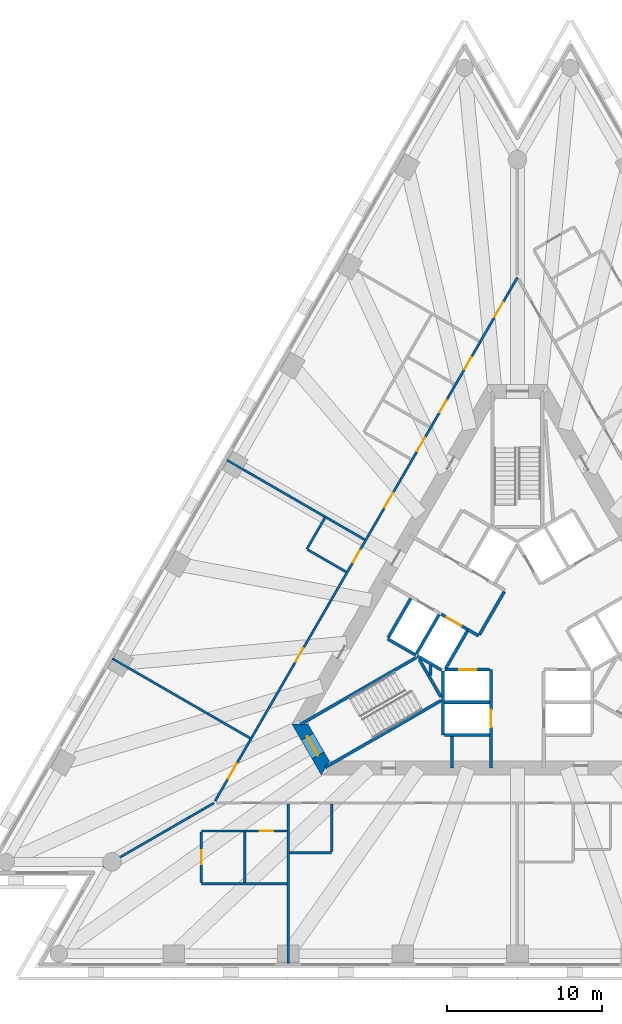
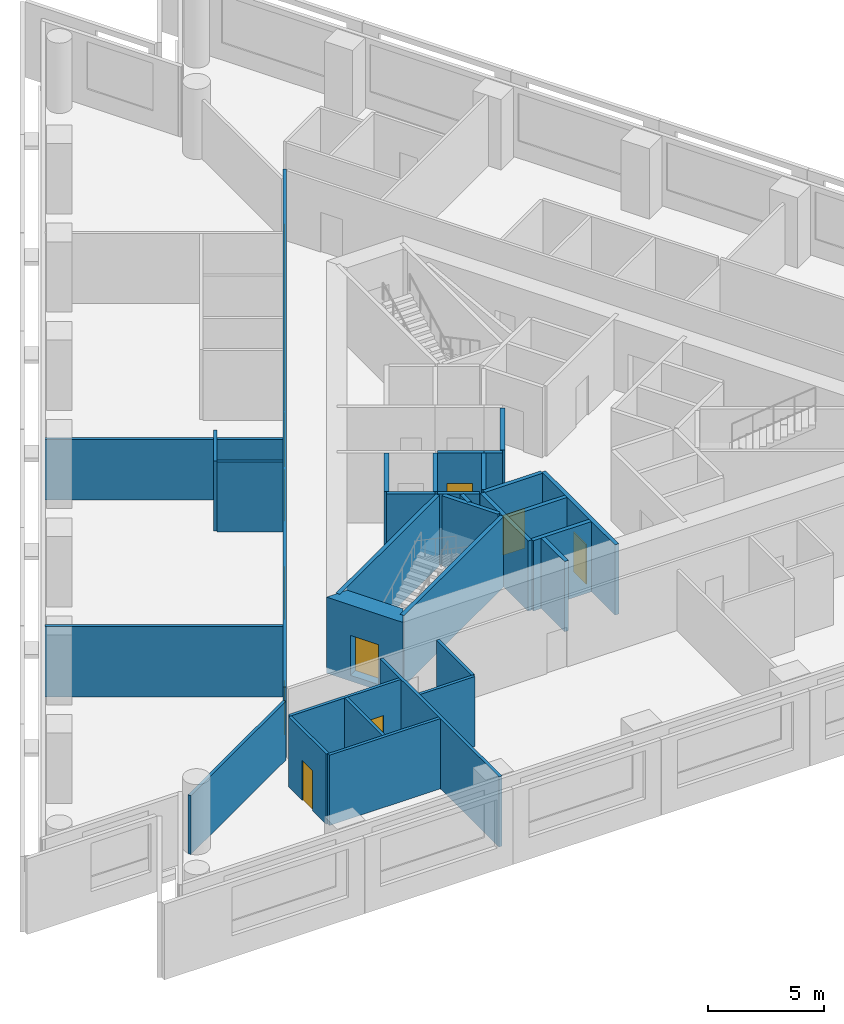
# One storey, part 3 of 11: 32 walls, 14 doors, 14 openings.
"""IFC4 building model written with IfcOpenShell, lengths in metres."""

from ifc_helpers import new_model, si_unit, direction, frame, frame_2d, origin, place, context, subcontext, project, spatial, polyline, rectangle, outline, extrude, material, layer, layer_set, type_object, element, fill, save


model = new_model("IFC4")

# Units and contexts
model_context = context("Model", 3, precision=1e-05, world=origin(), true_north=direction((0.0, 1.0)))
body_context = subcontext(model_context, "Body", "Model", "MODEL_VIEW")
ifc_project = project(units=[si_unit("LENGTHUNIT", "METRE"), si_unit("AREAUNIT", "SQUARE_METRE"), si_unit("VOLUMEUNIT", "CUBIC_METRE"), si_unit("PLANEANGLEUNIT", "RADIAN"), si_unit("MASSUNIT", "GRAM", prefix="KILO")], contexts=[model_context])

# Site, building, storey
site_placement = place(None, origin())
site = spatial("IfcSite", under=ifc_project, at=site_placement, CompositionType="ELEMENT")
building_placement = place(site_placement, origin())
building = spatial("IfcBuilding", under=site, at=building_placement, Name="Triada Interchange Tower", CompositionType="ELEMENT")
storey_placement = place(building_placement, frame((0.0, 0.0, 67.300048828125)))
storey = spatial("IfcBuildingStorey", under=building, at=storey_placement, Name="L14", CompositionType="ELEMENT", Elevation=67.300048828125)

# Walls
ifc_material_1 = material(Name="Concrete C30/37", Category="concrete")
ifc_layer_1 = layer(ifc_material_1, 0.199951171875)
ifc_layer_set_1 = layer_set([ifc_layer_1], Name="CORE WALL 200 EI 120")
wall_type_1 = type_object("IfcWallType", Name="CORE WALL 200 EI 120", PredefinedType="SOLIDWALL", material=ifc_layer_set_1)
wall_1_placement = place(storey_placement, frame((-8.3759765625, -0.70703125, 0.0), z_axis=(0.0, 0.0, 1.0), x_axis=(0.866067520717, -0.499927044236, 0.0)))
element("IfcWall", 1, at=wall_1_placement, inside=storey, type_object=wall_type_1, Name="Wall L12 47", PredefinedType="SOLIDWALL", context=body_context, shape_type="SweptSolid", body=[
    extrude(rectangle(XDim=2.100341796875, YDim=0.199951171875, at=frame_2d((1.05029296875, 0.0))), origin(), (0.0, 0.0, 1.0), 3.699951171875),
])
wall_2_placement = place(storey_placement, frame((-8.325927734375, -0.6201171875, 0.0), z_axis=(0.0, 0.0, 1.0), x_axis=(0.500023687443, 0.866011727401, 0.0)))
element("IfcWall", 2, at=wall_2_placement, inside=storey, type_object=wall_type_1, Name="Wall L12 48", PredefinedType="SOLIDWALL", context=body_context, shape_type="SweptSolid", body=[
    extrude(rectangle(XDim=2.899658203125, YDim=0.199951171875, at=frame_2d((1.44970703125, 0.0))), origin(), (0.0, 0.0, 1.0), 3.699951171875),
])
wall_3_placement = place(storey_placement, frame((-4.699951171875, -4.800048828125, 0.0), z_axis=(0.0, 0.0, 1.0), x_axis=(1.0, 0.0, 0.0)))
element("IfcWall", 3, at=wall_3_placement, inside=storey, type_object=wall_type_1, Name="Wall L12 49", PredefinedType="SOLIDWALL", context=body_context, shape_type="SweptSolid", body=[
    extrude(rectangle(XDim=2.89990234375, YDim=0.199951171875, at=frame_2d((1.449951171875, 0.0))), origin(), (0.0, 0.0, 1.0), 3.699951171875),
])
wall_4_placement = place(storey_placement, frame((-4.800048828125, -6.89990234375, 0.0), z_axis=(0.0, 0.0, 1.0), x_axis=(0.0, 1.0, 0.0)))
element("IfcWall", 4, at=wall_4_placement, inside=storey, type_object=wall_type_1, Name="Wall L12 51", PredefinedType="SOLIDWALL", context=body_context, shape_type="SweptSolid", body=[
    extrude(rectangle(XDim=4.130859375, YDim=0.199951171875, at=frame_2d((2.0654296875, 0.0))), origin(), (0.0, 0.0, 1.0), 3.699951171875),
])
wall_5_placement = place(storey_placement, frame((-4.699951171875, -6.89990234375, 0.0), z_axis=(0.0, 0.0, 1.0), x_axis=(1.0, 0.0, 0.0)))
element("IfcWall", 5, at=wall_5_placement, inside=storey, type_object=wall_type_1, Name="Wall L12 52", PredefinedType="SOLIDWALL", context=body_context, shape_type="SweptSolid", body=[
    extrude(rectangle(XDim=2.89990234375, YDim=0.199951171875, at=frame_2d((1.449951171875, 0.0))), origin(), (0.0, 0.0, 1.0), 3.699951171875),
])

# Wall, opening, door
wall_6_placement = place(storey_placement, frame((-1.699951171875, -9.030029296875, 0.0), z_axis=(0.0, 0.0, 1.0), x_axis=(0.0, 1.0, 0.0)))
wall_6 = element("IfcWall", 6, at=wall_6_placement, inside=storey, type_object=wall_type_1, Name="Wall L12 54", PredefinedType="SOLIDWALL", context=body_context, shape_type="SweptSolid", body=[
    extrude(rectangle(XDim=6.3271484375, YDim=0.199951171875, at=frame_2d((3.16357421875, 0.0))), origin(), (0.0, 0.0, 1.0), 3.699951171875),
])
opening_1_placement = place(wall_6_placement, frame((2.6298828125, 0.0, 0.0)))
opening_1 = element("IfcOpeningElement", 7, at=opening_1_placement, cuts=wall_6, Name="Opening LD-LR4", PredefinedType="OPENING", context=body_context, shape_type="SweptSolid", body=[
    extrude(rectangle(XDim=1.10009765625, YDim=2.10009765625, at=frame_2d((0.550048828125, 1.050048828125))), frame((0.0, 0.10986328125, 0.0), z_axis=(0.0, -1.0, 0.0), x_axis=(1.0, 0.0, 0.0)), (0.0, 0.0, 1.0), 0.219970703125),
])
ifc_material_2 = material(Name="Steel S235 door leaf", Category="steel")
door_type_1 = type_object("IfcDoorType", Name="LIFT LANDING DOOR 1100 EI 120", OperationType="SLIDING_TO_LEFT", PredefinedType="DOOR", material=ifc_material_2)
door_1_placement = place(opening_1_placement, origin())
door_1 = element("IfcDoor", 8, at=door_1_placement, inside=storey, type_object=door_type_1, Name="LR4 landing door L14", OperationType="SLIDING_TO_LEFT", OverallHeight=2.10009765625, OverallWidth=1.10009765625, PredefinedType="DOOR", context=body_context, shape_type="SweptSolid", body=[
    extrude(rectangle(XDim=1.10009765625, YDim=2.10009765625, at=frame_2d((0.550048828125, 1.050048828125))), frame((0.0, 0.02490234375, 0.0), z_axis=(0.0, -1.0, 0.0), x_axis=(1.0, 0.0, 0.0)), (0.0, 0.0, 1.0), 0.050048828125),
])
fill(opening_1, door_1)

wall_7_placement = place(storey_placement, frame((-4.676025390625, -2.699951171875, 0.0), z_axis=(0.0, 0.0, 1.0), x_axis=(1.0, 0.0, 0.0)))
wall_7 = element("IfcWall", 9, at=wall_7_placement, inside=storey, type_object=wall_type_1, Name="Wall L12 55", PredefinedType="SOLIDWALL", context=body_context, shape_type="SweptSolid", body=[
    extrude(rectangle(XDim=2.873046875, YDim=0.199951171875, at=frame_2d((1.4365234375, 0.0))), origin(), (0.0, 0.0, 1.0), 3.699951171875),
])
opening_2_placement = place(wall_7_placement, frame((0.93701171875, 0.0, 0.0)))
opening_2 = element("IfcOpeningElement", 10, at=opening_2_placement, cuts=wall_7, Name="Opening LD-LR3", PredefinedType="OPENING", context=body_context, shape_type="SweptSolid", body=[
    extrude(rectangle(XDim=1.10009765625, YDim=2.10009765625, at=frame_2d((0.550048828125, 1.050048828125))), frame((0.0, 0.10986328125, 0.0), z_axis=(0.0, -1.0, 0.0), x_axis=(1.0, 0.0, 0.0)), (0.0, 0.0, 1.0), 0.219970703125),
])
door_2_placement = place(opening_2_placement, origin())
door_2 = element("IfcDoor", 11, at=door_2_placement, inside=storey, type_object=door_type_1, Name="LR3 landing door L14", OperationType="SLIDING_TO_LEFT", OverallHeight=2.10009765625, OverallWidth=1.10009765625, PredefinedType="DOOR", context=body_context, shape_type="SweptSolid", body=[
    extrude(rectangle(XDim=1.10009765625, YDim=2.10009765625, at=frame_2d((0.550048828125, 1.050048828125))), frame((0.0, 0.02490234375, 0.0), z_axis=(0.0, -1.0, 0.0), x_axis=(1.0, 0.0, 0.0)), (0.0, 0.0, 1.0), 0.050048828125),
])
fill(opening_2, door_2)

# Walls
ifc_layer_2 = layer(ifc_material_1, 0.199951171875)
ifc_layer_set_2 = layer_set([ifc_layer_2], Name="CORE WALL 200 EI 180")
wall_type_2 = type_object("IfcWallType", Name="CORE WALL 200 EI 180", PredefinedType="SOLIDWALL", material=ifc_layer_set_2)
wall_8_placement = place(storey_placement, frame((-3.18798828125, -0.1220703125, 0.0), z_axis=(0.0, 0.0, 1.0), x_axis=(0.865705793592, -0.50055317294, 0.0)))
element("IfcWall", 12, at=wall_8_placement, inside=storey, type_object=wall_type_2, Name="Wall L12 70", PredefinedType="SOLIDWALL", context=body_context, shape_type="SweptSolid", body=[
    extrude(rectangle(XDim=0.796875, YDim=0.199951171875, at=frame_2d((0.3984375, 0.0))), origin(), (0.0, 0.0, 1.0), 3.699951171875),
])
wall_9_placement = place(storey_placement, frame((-2.444091796875, -0.43310546875, 0.0), z_axis=(0.0, 0.0, 1.0), x_axis=(0.500035624827, 0.866004834804, 0.0)))
element("IfcWall", 13, at=wall_9_placement, inside=storey, type_object=wall_type_2, Name="Wall L12 75", PredefinedType="SOLIDWALL", context=body_context, shape_type="SweptSolid", body=[
    extrude(rectangle(XDim=3.194091796875, YDim=0.199951171875, at=frame_2d((1.59716796875, 0.0))), origin(), (0.0, 0.0, 1.0), 3.699951171875),
])
wall_10_placement = place(storey_placement, frame((-6.507080078125, -1.669921875, 0.0), z_axis=(0.0, 0.0, 1.0), x_axis=(0.50012328804, 0.865954211699, 0.0)))
element("IfcWall", 14, at=wall_10_placement, inside=storey, type_object=wall_type_2, Name="Shaft wall FF1 L12 76", PredefinedType="SOLIDWALL", context=body_context, shape_type="SweptSolid", body=[
    extrude(rectangle(XDim=2.899658203125, YDim=0.199951171875, at=frame_2d((1.44970703125, 0.0))), origin(), (0.0, 0.0, 1.0), 3.699951171875),
])
wall_11_placement = place(storey_placement, frame((-6.469970703125, -1.806884765625, 0.0), z_axis=(0.0, 0.0, 1.0), x_axis=(0.865883195159, -0.500246231712, 0.0)))
element("IfcWall", 15, at=wall_11_placement, inside=storey, type_object=wall_type_2, Name="Shaft wall FF1 L12 77", PredefinedType="SOLIDWALL", context=body_context, shape_type="SweptSolid", body=[
    extrude(rectangle(XDim=1.8154296875, YDim=0.199951171875, at=frame_2d((0.90771484375, 0.0))), origin(), (0.0, 0.0, 1.0), 3.699951171875),
])

# Wall, opening, door
wall_12_placement = place(storey_placement, frame((-4.922119140625, 0.87890625, 0.0), z_axis=(0.0, 0.0, 1.0), x_axis=(0.866073918653, -0.499915960366, 0.0)))
wall_12 = element("IfcWall", 16, at=wall_12_placement, inside=storey, type_object=wall_type_2, Name="Shaft wall FF1 L12 78", PredefinedType="SOLIDWALL", context=body_context, shape_type="SweptSolid", body=[
    extrude(rectangle(XDim=2.002197265625, YDim=0.199951171875, at=frame_2d((1.0009765625, 0.0))), origin(), (0.0, 0.0, 1.0), 3.699951171875),
])
opening_3_placement = place(wall_12_placement, frame((0.402099609375, 0.0, 0.0)))
opening_3 = element("IfcOpeningElement", 17, at=opening_3_placement, cuts=wall_12, Name="Opening LD-FF1", PredefinedType="OPENING", context=body_context, shape_type="SweptSolid", body=[
    extrude(rectangle(XDim=1.10009765625, YDim=2.10009765625, at=frame_2d((0.550048828125, 1.050048828125))), frame((0.0, 0.10986328125, 0.0), z_axis=(0.0, -1.0, 0.0), x_axis=(1.0, 0.0, 0.0)), (0.0, 0.0, 1.0), 0.219970703125),
])
door_3_placement = place(opening_3_placement, origin())
door_3 = element("IfcDoor", 18, at=door_3_placement, inside=storey, type_object=door_type_1, Name="FF1 landing door L14", OperationType="SLIDING_TO_LEFT", OverallHeight=2.10009765625, OverallWidth=1.10009765625, PredefinedType="DOOR", context=body_context, shape_type="SweptSolid", body=[
    extrude(rectangle(XDim=1.10009765625, YDim=2.10009765625, at=frame_2d((0.550048828125, 1.050048828125))), frame((0.0, 0.02490234375, 0.0), z_axis=(0.0, -1.0, 0.0), x_axis=(1.0, 0.0, 0.0)), (0.0, 0.0, 1.0), 0.050048828125),
])
fill(opening_3, door_3)

# Walls
wall_13_placement = place(storey_placement, frame((-4.618896484375, -2.60009765625, 0.0), z_axis=(0.0, 0.0, 1.0), x_axis=(0.50009492287, 0.865970593103, 0.0)))
element("IfcWall", 19, at=wall_13_placement, inside=storey, type_object=wall_type_2, Name="Shaft wall FF1 L12 79", PredefinedType="SOLIDWALL", context=body_context, shape_type="SweptSolid", body=[
    extrude(rectangle(XDim=2.76123046875, YDim=0.199951171875, at=frame_2d((1.380615234375, 0.0))), origin(), (0.0, 0.0, 1.0), 3.699951171875),
])
ifc_layer_3 = layer(ifc_material_1, 0.199951171875)
ifc_layer_set_3 = layer_set([ifc_layer_3], Name="CORE WALL 200 EI 90")
wall_type_3 = type_object("IfcWallType", Name="CORE WALL 200 EI 90", PredefinedType="SOLIDWALL", material=ifc_layer_set_3)
wall_14_placement = place(storey_placement, frame((-5.612060546875, -3.080078125, 0.0), z_axis=(0.0, 0.0, 1.0), x_axis=(0.0, 1.0, 0.0)))
element("IfcWall", 20, at=wall_14_placement, inside=storey, type_object=wall_type_3, Name="Wall L12 84", PredefinedType="SOLIDWALL", context=body_context, shape_type="SweptSolid", body=[
    extrude(rectangle(XDim=0.662109375, YDim=0.199951171875, at=frame_2d((0.3310546875, 0.0))), origin(), (0.0, 0.0, 1.0), 3.699951171875),
])
wall_15_placement = place(storey_placement, frame((-4.208984375, -9.030029296875, 0.0), z_axis=(0.0, 0.0, 1.0), x_axis=(0.0, 1.0, 0.0)))
element("IfcWall", 21, at=wall_15_placement, inside=storey, type_object=wall_type_3, Name="Wall L12 85", PredefinedType="SOLIDWALL", context=body_context, shape_type="SweptSolid", body=[
    extrude(rectangle(XDim=2.030029296875, YDim=0.199951171875, at=frame_2d((1.01513671875, 0.0))), origin(), (0.0, 0.0, 1.0), 3.699951171875),
])
ifc_layer_4 = layer(ifc_material_1, 0.199951171875)
ifc_layer_set_4 = layer_set([ifc_layer_4], Name="CORE WALL 200 REI 240")
wall_type_4 = type_object("IfcWallType", Name="CORE WALL 200 REI 240", PredefinedType="SOLIDWALL", material=ifc_layer_set_4)
wall_16_placement = place(storey_placement, frame((-13.989990234375, -6.22900390625, 0.0), z_axis=(0.0, 0.0, 1.0), x_axis=(0.866060059011, 0.499939970583, 0.0)))
element("IfcWall", 22, at=wall_16_placement, inside=storey, type_object=wall_type_4, Name="Wall L12 87", PredefinedType="SOLIDWALL", context=body_context, shape_type="SweptSolid", body=[
    extrude(rectangle(XDim=8.61474609375, YDim=0.199951171875, at=frame_2d((4.307373046875, 0.0))), origin(), (0.0, 0.0, 1.0), 3.699951171875),
])
wall_17_placement = place(storey_placement, frame((-6.3291015625, -2.0380859375, 0.0), z_axis=(0.0, 0.0, 1.0), x_axis=(0.500200581029, -0.865909567298, 0.0)))
element("IfcWall", 23, at=wall_17_placement, inside=storey, type_object=wall_type_4, Name="Wall L12 88", PredefinedType="SOLIDWALL", context=body_context, shape_type="SweptSolid", body=[
    extrude(rectangle(XDim=2.799072265625, YDim=0.199951171875, at=frame_2d((1.3994140625, 0.0))), origin(), (0.0, 0.0, 1.0), 3.699951171875),
])
wall_18_placement = place(storey_placement, frame((-12.389892578125, -9.0009765625, 0.0), z_axis=(0.0, 0.0, 1.0), x_axis=(0.866010975815, 0.500024989144, 0.0)))
element("IfcWall", 24, at=wall_18_placement, inside=storey, type_object=wall_type_4, Name="Wall L12 89", PredefinedType="SOLIDWALL", context=body_context, shape_type="SweptSolid", body=[
    extrude(rectangle(XDim=8.615234375, YDim=0.199951171875, at=frame_2d((4.3076171875, 0.0))), origin(), (0.0, 0.0, 1.0), 3.699951171875),
])

# Wall, opening, door
ifc_material_3 = material(Name="Concrete C70/85", Category="concrete")
ifc_layer_5 = layer(ifc_material_3, 0.89990234375)
ifc_layer_set_5 = layer_set([ifc_layer_5], Name="Core wall A 900")
wall_type_5 = type_object("IfcWallType", Name="Core wall A 900", PredefinedType="SHEAR", material=ifc_layer_set_5)
wall_19_placement = place(storey_placement, frame((-14.030029296875, -6.199951171875, -0.300048828125), z_axis=(0.0, 0.0, 1.0), x_axis=(0.500111984565, -0.865960739811, 0.0)))
wall_19 = element("IfcWall", 25, at=wall_19_placement, inside=storey, type_object=wall_type_5, Name="Core wall WA03 L14", PredefinedType="SHEAR", context=body_context, shape_type="SweptSolid", body=[
    extrude(outline(polyline([(-0.260009765625, -0.448974609375), (1.6455078125, -0.449462890625), (3.551025390625, -0.449951171875), (3.031982421875, 0.449951171875), (1.64599609375, 0.449951171875), (0.260009765625, 0.449951171875), (-0.260009765625, -0.448974609375)])), origin(), (0.0, 0.0, 1.0), 4.0),
])
opening_4_placement = place(wall_19_placement, frame((0.946044921875, 0.0, 0.300048828125)))
opening_4 = element("IfcOpeningElement", 26, at=opening_4_placement, cuts=wall_19, Name="Opening D12-42", PredefinedType="OPENING", context=body_context, shape_type="SweptSolid", body=[
    extrude(rectangle(XDim=1.39990234375, YDim=2.10009765625, at=frame_2d((0.699951171875, 1.050048828125))), frame((0.0, 0.4599609375, 0.0), z_axis=(0.0, -1.0, 0.0), x_axis=(1.0, 0.0, 0.0)), (0.0, 0.0, 1.0), 0.919921875),
])
door_type_2 = type_object("IfcDoorType", Name="STAIR DOOR 1400 EI2 90-C5S200", OperationType="DOUBLE_DOOR_SINGLE_SWING", PredefinedType="DOOR", material=ifc_material_2)
door_4_placement = place(opening_4_placement, origin())
door_4 = element("IfcDoor", 27, at=door_4_placement, inside=storey, type_object=door_type_2, Name="Door D12-42 L14", OperationType="DOUBLE_DOOR_SINGLE_SWING", OverallHeight=2.10009765625, OverallWidth=1.39990234375, PredefinedType="DOOR", context=body_context, shape_type="SweptSolid", body=[
    extrude(rectangle(XDim=1.39990234375, YDim=2.10009765625, at=frame_2d((0.699951171875, 1.050048828125))), frame((0.0, 0.02490234375, 0.0), z_axis=(0.0, -1.0, 0.0), x_axis=(1.0, 0.0, 0.0)), (0.0, 0.0, 1.0), 0.050048828125),
])
fill(opening_4, door_4)

# Walls
ifc_material_4 = material(Name="Gypsum board partition")
ifc_layer_6 = layer(ifc_material_4, 0.14990234375)
ifc_layer_set_6 = layer_set([ifc_layer_6], Name="PARTITION 150 EI 180")
wall_type_6 = type_object("IfcWallType", Name="PARTITION 150 EI 180", PredefinedType="PARTITIONING", material=ifc_layer_set_6)
wall_20_placement = place(storey_placement, frame((-26.68701171875, -15.407958984375, 0.0), z_axis=(0.0, 0.0, 1.0), x_axis=(0.866021786635, 0.500006265035, 0.0)))
element("IfcWall", 28, at=wall_20_placement, inside=storey, type_object=wall_type_6, Name="Wall L12 1", PredefinedType="PARTITIONING", context=body_context, shape_type="SweptSolid", body=[
    extrude(rectangle(XDim=8.2158203125, YDim=0.14990234375, at=frame_2d((4.10791015625, 0.0))), origin(), (0.0, 0.0, 1.0), 3.099853515625),
])
wall_21_placement = place(storey_placement, frame((-26.1279296875, -1.985107421875, 0.0), z_axis=(0.0, 0.0, 1.0), x_axis=(0.866020337685, -0.500008774639, 0.0)))
element("IfcWall", 29, at=wall_21_placement, inside=storey, type_object=wall_type_6, Name="Wall L12 3", PredefinedType="PARTITIONING", context=body_context, shape_type="SweptSolid", body=[
    extrude(rectangle(XDim=10.259521484375, YDim=0.14990234375, at=frame_2d((5.1298828125, 0.0))), origin(), (0.0, 0.0, 1.0), 3.699951171875),
])

# Wall, openings, doors
wall_22_placement = place(storey_placement, frame((-19.4970703125, -11.169921875, 0.0), z_axis=(0.0, 0.0, 1.0), x_axis=(0.499998854553, 0.866026065108, 0.0)))
wall_22 = element("IfcWall", 30, at=wall_22_placement, inside=storey, type_object=wall_type_6, Name="Wall L12 4", PredefinedType="PARTITIONING", context=body_context, shape_type="SweptSolid", body=[
    extrude(rectangle(XDim=38.994140625, YDim=0.14990234375, at=frame_2d((19.4970703125, 0.0))), origin(), (0.0, 0.0, 1.0), 3.699951171875),
])
opening_5_placement = place(wall_22_placement, frame((36.0439453125, 0.0, 0.0)))
opening_5 = element("IfcOpeningElement", 31, at=opening_5_placement, cuts=wall_22, Name="Opening D12-32", PredefinedType="OPENING", context=body_context, shape_type="SweptSolid", body=[
    extrude(rectangle(XDim=1.10009765625, YDim=2.10009765625, at=frame_2d((0.550048828125, 1.050048828125))), frame((0.0, 0.0849609375, 0.0), z_axis=(0.0, -1.0, 0.0), x_axis=(1.0, 0.0, 0.0)), (0.0, 0.0, 1.0), 0.169921875),
])
opening_6_placement = place(wall_22_placement, frame((21.85498046875, 0.0, 0.0)))
opening_6 = element("IfcOpeningElement", 32, at=opening_6_placement, cuts=wall_22, Name="Opening D12-33", PredefinedType="OPENING", context=body_context, shape_type="SweptSolid", body=[
    extrude(rectangle(XDim=1.10009765625, YDim=2.10009765625, at=frame_2d((0.550048828125, 1.050048828125))), frame((0.0, 0.0849609375, 0.0), z_axis=(0.0, -1.0, 0.0), x_axis=(1.0, 0.0, 0.0)), (0.0, 0.0, 1.0), 0.169921875),
])
opening_7_placement = place(wall_22_placement, frame((32.155029296875, 0.0, 0.0)))
opening_7 = element("IfcOpeningElement", 33, at=opening_7_placement, cuts=wall_22, Name="Opening D12-34", PredefinedType="OPENING", context=body_context, shape_type="SweptSolid", body=[
    extrude(rectangle(XDim=0.89990234375, YDim=2.10009765625, at=frame_2d((0.449951171875, 1.050048828125))), frame((0.0, 0.0849609375, 0.0), z_axis=(0.0, -1.0, 0.0), x_axis=(1.0, 0.0, 0.0)), (0.0, 0.0, 1.0), 0.169921875),
])
opening_8_placement = place(wall_22_placement, frame((28.955078125, 0.0, 0.0)))
opening_8 = element("IfcOpeningElement", 34, at=opening_8_placement, cuts=wall_22, Name="Opening D12-35", PredefinedType="OPENING", context=body_context, shape_type="SweptSolid", body=[
    extrude(rectangle(XDim=0.89990234375, YDim=2.10009765625, at=frame_2d((0.449951171875, 1.050048828125))), frame((0.0, 0.0849609375, 0.0), z_axis=(0.0, -1.0, 0.0), x_axis=(1.0, 0.0, 0.0)), (0.0, 0.0, 1.0), 0.169921875),
])
opening_9_placement = place(wall_22_placement, frame((26.054931640625, 0.0, 0.0)))
opening_9 = element("IfcOpeningElement", 35, at=opening_9_placement, cuts=wall_22, Name="Opening D12-36", PredefinedType="OPENING", context=body_context, shape_type="SweptSolid", body=[
    extrude(rectangle(XDim=1.0, YDim=2.10009765625, at=frame_2d((0.5, 1.050048828125))), frame((0.0, 0.0849609375, 0.0), z_axis=(0.0, -1.0, 0.0), x_axis=(1.0, 0.0, 0.0)), (0.0, 0.0, 1.0), 0.169921875),
])
opening_10_placement = place(wall_22_placement, frame((10.373046875, 0.0, 0.0)))
opening_10 = element("IfcOpeningElement", 36, at=opening_10_placement, cuts=wall_22, Name="Opening D12-37", PredefinedType="OPENING", context=body_context, shape_type="SweptSolid", body=[
    extrude(rectangle(XDim=1.0, YDim=2.10009765625, at=frame_2d((0.5, 1.050048828125))), frame((0.0, 0.0849609375, 0.0), z_axis=(0.0, -1.0, 0.0), x_axis=(1.0, 0.0, 0.0)), (0.0, 0.0, 1.0), 0.169921875),
])
opening_11_placement = place(wall_22_placement, frame((17.77294921875, 0.0, 0.0)))
opening_11 = element("IfcOpeningElement", 37, at=opening_11_placement, cuts=wall_22, Name="Opening D12-38", PredefinedType="OPENING", context=body_context, shape_type="SweptSolid", body=[
    extrude(rectangle(XDim=0.89990234375, YDim=2.10009765625, at=frame_2d((0.449951171875, 1.050048828125))), frame((0.0, 0.0849609375, 0.0), z_axis=(0.0, -1.0, 0.0), x_axis=(1.0, 0.0, 0.0)), (0.0, 0.0, 1.0), 0.169921875),
])
opening_12_placement = place(wall_22_placement, frame((1.68896484375, 0.0, 0.0)))
opening_12 = element("IfcOpeningElement", 38, at=opening_12_placement, cuts=wall_22, Name="Opening D12-39", PredefinedType="OPENING", context=body_context, shape_type="SweptSolid", body=[
    extrude(rectangle(XDim=1.10009765625, YDim=2.10009765625, at=frame_2d((0.550048828125, 1.050048828125))), frame((0.0, 0.0849609375, 0.0), z_axis=(0.0, -1.0, 0.0), x_axis=(1.0, 0.0, 0.0)), (0.0, 0.0, 1.0), 0.169921875),
])
door_type_3 = type_object("IfcDoorType", Name="ROOM DOOR 1000 EI2 90-C5S200", OperationType="NOTDEFINED", PredefinedType="DOOR", material=ifc_material_2)
door_5_placement = place(opening_9_placement, origin())
door_5 = element("IfcDoor", 39, at=door_5_placement, inside=storey, type_object=door_type_3, Name="Door D12-36 L14", OperationType="SINGLE_SWING_RIGHT", OverallHeight=2.10009765625, OverallWidth=1.0, PredefinedType="DOOR", context=body_context, shape_type="SweptSolid", body=[
    extrude(rectangle(XDim=1.0, YDim=2.10009765625, at=frame_2d((0.5, 1.050048828125))), frame((0.0, 0.02490234375, 0.0), z_axis=(0.0, -1.0, 0.0), x_axis=(1.0, 0.0, 0.0)), (0.0, 0.0, 1.0), 0.050048828125),
])
fill(opening_9, door_5)
door_6_placement = place(opening_10_placement, origin())
door_6 = element("IfcDoor", 40, at=door_6_placement, inside=storey, type_object=door_type_3, Name="Door D12-37 L14", OperationType="SINGLE_SWING_LEFT", OverallHeight=2.10009765625, OverallWidth=1.0, PredefinedType="DOOR", context=body_context, shape_type="SweptSolid", body=[
    extrude(rectangle(XDim=1.0, YDim=2.10009765625, at=frame_2d((0.5, 1.050048828125))), frame((0.0, 0.02490234375, 0.0), z_axis=(0.0, -1.0, 0.0), x_axis=(1.0, 0.0, 0.0)), (0.0, 0.0, 1.0), 0.050048828125),
])
fill(opening_10, door_6)
door_type_4 = type_object("IfcDoorType", Name="ROOM DOOR 900 EI2 90-C5S200", OperationType="NOTDEFINED", PredefinedType="DOOR", material=ifc_material_2)
door_7_placement = place(opening_7_placement, origin())
door_7 = element("IfcDoor", 41, at=door_7_placement, inside=storey, type_object=door_type_4, Name="Door D12-34 L14", OperationType="SINGLE_SWING_RIGHT", OverallHeight=2.10009765625, OverallWidth=0.89990234375, PredefinedType="DOOR", context=body_context, shape_type="SweptSolid", body=[
    extrude(rectangle(XDim=0.89990234375, YDim=2.10009765625, at=frame_2d((0.449951171875, 1.050048828125))), frame((0.0, 0.02490234375, 0.0), z_axis=(0.0, -1.0, 0.0), x_axis=(1.0, 0.0, 0.0)), (0.0, 0.0, 1.0), 0.050048828125),
])
fill(opening_7, door_7)
door_8_placement = place(opening_8_placement, origin())
door_8 = element("IfcDoor", 42, at=door_8_placement, inside=storey, type_object=door_type_4, Name="Door D12-35 L14", OperationType="SINGLE_SWING_LEFT", OverallHeight=2.10009765625, OverallWidth=0.89990234375, PredefinedType="DOOR", context=body_context, shape_type="SweptSolid", body=[
    extrude(rectangle(XDim=0.89990234375, YDim=2.10009765625, at=frame_2d((0.449951171875, 1.050048828125))), frame((0.0, 0.02490234375, 0.0), z_axis=(0.0, -1.0, 0.0), x_axis=(1.0, 0.0, 0.0)), (0.0, 0.0, 1.0), 0.050048828125),
])
fill(opening_8, door_8)
door_type_5 = type_object("IfcDoorType", Name="SERVICE DOOR 900 EI2 90-C5S200", OperationType="NOTDEFINED", PredefinedType="DOOR", material=ifc_material_2)
door_9_placement = place(opening_11_placement, origin())
door_9 = element("IfcDoor", 43, at=door_9_placement, inside=storey, type_object=door_type_5, Name="Door D12-38 L14", OperationType="SINGLE_SWING_RIGHT", OverallHeight=2.10009765625, OverallWidth=0.89990234375, PredefinedType="DOOR", context=body_context, shape_type="SweptSolid", body=[
    extrude(rectangle(XDim=0.89990234375, YDim=2.10009765625, at=frame_2d((0.449951171875, 1.050048828125))), frame((0.0, 0.02490234375, 0.0), z_axis=(0.0, -1.0, 0.0), x_axis=(1.0, 0.0, 0.0)), (0.0, 0.0, 1.0), 0.050048828125),
])
fill(opening_11, door_9)
door_type_6 = type_object("IfcDoorType", Name="TENANCY ENTRANCE DOOR 1100 EI2 90-C5S200", OperationType="NOTDEFINED", PredefinedType="DOOR", material=ifc_material_2)
door_10_placement = place(opening_5_placement, origin())
door_10 = element("IfcDoor", 44, at=door_10_placement, inside=storey, type_object=door_type_6, Name="Door D12-32 L14", OperationType="SINGLE_SWING_RIGHT", OverallHeight=2.10009765625, OverallWidth=1.10009765625, PredefinedType="DOOR", context=body_context, shape_type="SweptSolid", body=[
    extrude(rectangle(XDim=1.10009765625, YDim=2.10009765625, at=frame_2d((0.550048828125, 1.050048828125))), frame((0.0, 0.02490234375, 0.0), z_axis=(0.0, -1.0, 0.0), x_axis=(1.0, 0.0, 0.0)), (0.0, 0.0, 1.0), 0.050048828125),
])
fill(opening_5, door_10)
door_11_placement = place(opening_6_placement, origin())
door_11 = element("IfcDoor", 45, at=door_11_placement, inside=storey, type_object=door_type_6, Name="Door D12-33 L14", OperationType="SINGLE_SWING_RIGHT", OverallHeight=2.10009765625, OverallWidth=1.10009765625, PredefinedType="DOOR", context=body_context, shape_type="SweptSolid", body=[
    extrude(rectangle(XDim=1.10009765625, YDim=2.10009765625, at=frame_2d((0.550048828125, 1.050048828125))), frame((0.0, 0.02490234375, 0.0), z_axis=(0.0, -1.0, 0.0), x_axis=(1.0, 0.0, 0.0)), (0.0, 0.0, 1.0), 0.050048828125),
])
fill(opening_6, door_11)
door_12_placement = place(opening_12_placement, origin())
door_12 = element("IfcDoor", 46, at=door_12_placement, inside=storey, type_object=door_type_6, Name="Door D12-39 L14", OperationType="SINGLE_SWING_LEFT", OverallHeight=2.10009765625, OverallWidth=1.10009765625, PredefinedType="DOOR", context=body_context, shape_type="SweptSolid", body=[
    extrude(rectangle(XDim=1.10009765625, YDim=2.10009765625, at=frame_2d((0.550048828125, 1.050048828125))), frame((0.0, 0.02490234375, 0.0), z_axis=(0.0, -1.0, 0.0), x_axis=(1.0, 0.0, 0.0)), (0.0, 0.0, 1.0), 0.050048828125),
])
fill(opening_12, door_12)

# Walls
wall_23_placement = place(storey_placement, frame((-18.736083984375, 10.818115234375, 0.0), z_axis=(0.0, 0.0, 1.0), x_axis=(0.866010033384, -0.500026621369, 0.0)))
element("IfcWall", 47, at=wall_23_placement, inside=storey, type_object=wall_type_6, Name="Wall L12 6", PredefinedType="PARTITIONING", context=body_context, shape_type="SweptSolid", body=[
    extrude(rectangle(XDim=10.259765625, YDim=0.14990234375, at=frame_2d((5.1298828125, 0.0))), origin(), (0.0, 0.0, 1.0), 3.199951171875),
])
wall_24_placement = place(storey_placement, frame((-14.782958984375, -21.635009765625, 0.0), z_axis=(0.0, 0.0, 1.0), x_axis=(0.0, 1.0, 0.0)))
element("IfcWall", 48, at=wall_24_placement, inside=storey, type_object=wall_type_6, Name="Wall L12 8", PredefinedType="PARTITIONING", context=body_context, shape_type="SweptSolid", body=[
    extrude(rectangle(XDim=10.260009765625, YDim=0.14990234375, at=frame_2d((5.1298828125, 0.0))), origin(), (0.0, 0.0, 1.0), 3.699951171875),
])
wall_25_placement = place(storey_placement, frame((-14.7080078125, -14.5, 0.0), z_axis=(0.0, 0.0, 1.0), x_axis=(1.0, 0.0, 0.0)))
element("IfcWall", 49, at=wall_25_placement, inside=storey, type_object=wall_type_6, Name="Wall L12 9", PredefinedType="PARTITIONING", context=body_context, shape_type="SweptSolid", body=[
    extrude(rectangle(XDim=2.72509765625, YDim=0.14990234375, at=frame_2d((1.362548828125, 0.0))), origin(), (0.0, 0.0, 1.0), 3.699951171875),
])
wall_26_placement = place(storey_placement, frame((-11.98291015625, -14.425048828125, 0.0), z_axis=(0.0, 0.0, 1.0), x_axis=(0.0, 1.0, 0.0)))
element("IfcWall", 50, at=wall_26_placement, inside=storey, type_object=wall_type_6, Name="Wall L12 10", PredefinedType="PARTITIONING", context=body_context, shape_type="SweptSolid", body=[
    extrude(rectangle(XDim=3.050048828125, YDim=0.14990234375, at=frame_2d((1.52490234375, 0.0))), origin(), (0.0, 0.0, 1.0), 3.699951171875),
])
wall_27_placement = place(storey_placement, frame((-13.583984375, 5.072021484375, 0.0), z_axis=(0.0, 0.0, 1.0), x_axis=(0.500113184874, 0.865960046605, 0.0)))
element("IfcWall", 51, at=wall_27_placement, inside=storey, type_object=wall_type_6, Name="Wall L12 11", PredefinedType="PARTITIONING", context=body_context, shape_type="SweptSolid", body=[
    extrude(rectangle(XDim=2.32568359375, YDim=0.14990234375, at=frame_2d((1.162841796875, 0.0))), origin(), (0.0, 0.0, 1.0), 3.699951171875),
])
wall_28_placement = place(storey_placement, frame((-13.51904296875, 5.034912109375, 0.0), z_axis=(0.0, 0.0, 1.0), x_axis=(0.866041498374, -0.499972122318, 0.0)))
element("IfcWall", 52, at=wall_28_placement, inside=storey, type_object=wall_type_6, Name="Wall L12 12", PredefinedType="PARTITIONING", context=body_context, shape_type="SweptSolid", body=[
    extrude(rectangle(XDim=2.849853515625, YDim=0.14990234375, at=frame_2d((1.4248046875, 0.0))), origin(), (0.0, 0.0, 1.0), 3.699951171875),
])
ifc_layer_7 = layer(ifc_material_4, 0.14990234375)
ifc_layer_set_7 = layer_set([ifc_layer_7], Name="PARTITION 150 EI 90")
wall_type_7 = type_object("IfcWallType", Name="PARTITION 150 EI 90", PredefinedType="PARTITIONING", material=ifc_layer_set_7)
wall_29_placement = place(storey_placement, frame((-20.383056640625, -16.5, 0.0), z_axis=(0.0, 0.0, 1.0), x_axis=(1.0, 0.0, 0.0)))
element("IfcWall", 53, at=wall_29_placement, inside=storey, type_object=wall_type_7, Name="Wall L12 32", PredefinedType="PARTITIONING", context=body_context, shape_type="SweptSolid", body=[
    extrude(rectangle(XDim=5.525146484375, YDim=0.14990234375, at=frame_2d((2.7626953125, 0.0))), origin(), (0.0, 0.0, 1.0), 3.699951171875),
])
wall_30_placement = place(storey_placement, frame((-17.5830078125, -16.425048828125, 0.0), z_axis=(0.0, 0.0, 1.0), x_axis=(0.0, 1.0, 0.0)))
element("IfcWall", 54, at=wall_30_placement, inside=storey, type_object=wall_type_7, Name="Wall L12 33", PredefinedType="PARTITIONING", context=body_context, shape_type="SweptSolid", body=[
    extrude(rectangle(XDim=3.25, YDim=0.14990234375, at=frame_2d((1.625, 0.0))), origin(), (0.0, 0.0, 1.0), 3.699951171875),
])

# Wall, opening, door
wall_31_placement = place(storey_placement, frame((-20.383056640625, -13.10009765625, 0.0), z_axis=(0.0, 0.0, 1.0), x_axis=(1.0, 0.0, 0.0)))
wall_31 = element("IfcWall", 55, at=wall_31_placement, inside=storey, type_object=wall_type_7, Name="Wall L12 34", PredefinedType="PARTITIONING", context=body_context, shape_type="SweptSolid", body=[
    extrude(rectangle(XDim=5.525146484375, YDim=0.14990234375, at=frame_2d((2.7626953125, 0.0))), origin(), (0.0, 0.0, 1.0), 3.699951171875),
])
opening_13_placement = place(wall_31_placement, frame((3.75, 0.0, 0.0)))
opening_13 = element("IfcOpeningElement", 56, at=opening_13_placement, cuts=wall_31, Name="Opening D12-12", PredefinedType="OPENING", context=body_context, shape_type="SweptSolid", body=[
    extrude(rectangle(XDim=0.89990234375, YDim=2.10009765625, at=frame_2d((0.449951171875, 1.050048828125))), frame((0.0, 0.0849609375, 0.0), z_axis=(0.0, -1.0, 0.0), x_axis=(1.0, 0.0, 0.0)), (0.0, 0.0, 1.0), 0.169921875),
])
door_type_7 = type_object("IfcDoorType", Name="ROOM DOOR 900 EI2 45-C5S200", OperationType="NOTDEFINED", PredefinedType="DOOR", material=ifc_material_2)
door_13_placement = place(opening_13_placement, origin())
door_13 = element("IfcDoor", 57, at=door_13_placement, inside=storey, type_object=door_type_7, Name="Door D12-12 L14", OperationType="SINGLE_SWING_LEFT", OverallHeight=2.10009765625, OverallWidth=0.89990234375, PredefinedType="DOOR", context=body_context, shape_type="SweptSolid", body=[
    extrude(rectangle(XDim=0.89990234375, YDim=2.10009765625, at=frame_2d((0.449951171875, 1.050048828125))), frame((0.0, 0.02490234375, 0.0), z_axis=(0.0, -1.0, 0.0), x_axis=(1.0, 0.0, 0.0)), (0.0, 0.0, 1.0), 0.050048828125),
])
fill(opening_13, door_13)

wall_32_placement = place(storey_placement, frame((-20.383056640625, -16.425048828125, 0.0), z_axis=(0.0, 0.0, 1.0), x_axis=(0.0, 1.0, 0.0)))
wall_32 = element("IfcWall", 58, at=wall_32_placement, inside=storey, type_object=wall_type_7, Name="Wall L12 35", PredefinedType="PARTITIONING", context=body_context, shape_type="SweptSolid", body=[
    extrude(rectangle(XDim=3.25, YDim=0.14990234375, at=frame_2d((1.625, 0.0))), origin(), (0.0, 0.0, 1.0), 3.699951171875),
])
opening_14_placement = place(wall_32_placement, frame((1.175048828125, 0.0, 0.0)))
opening_14 = element("IfcOpeningElement", 59, at=opening_14_placement, cuts=wall_32, Name="Opening D12-13", PredefinedType="OPENING", context=body_context, shape_type="SweptSolid", body=[
    extrude(rectangle(XDim=0.89990234375, YDim=2.10009765625, at=frame_2d((0.449951171875, 1.050048828125))), frame((0.0, 0.0849609375, 0.0), z_axis=(0.0, -1.0, 0.0), x_axis=(1.0, 0.0, 0.0)), (0.0, 0.0, 1.0), 0.169921875),
])
door_14_placement = place(opening_14_placement, origin())
door_14 = element("IfcDoor", 60, at=door_14_placement, inside=storey, type_object=door_type_7, Name="Door D12-13 L14", OperationType="SINGLE_SWING_LEFT", OverallHeight=2.10009765625, OverallWidth=0.89990234375, PredefinedType="DOOR", context=body_context, shape_type="SweptSolid", body=[
    extrude(rectangle(XDim=0.89990234375, YDim=2.10009765625, at=frame_2d((0.449951171875, 1.050048828125))), frame((0.0, 0.02490234375, 0.0), z_axis=(0.0, -1.0, 0.0), x_axis=(1.0, 0.0, 0.0)), (0.0, 0.0, 1.0), 0.050048828125),
])
fill(opening_14, door_14)

save(model, "model.ifc")
